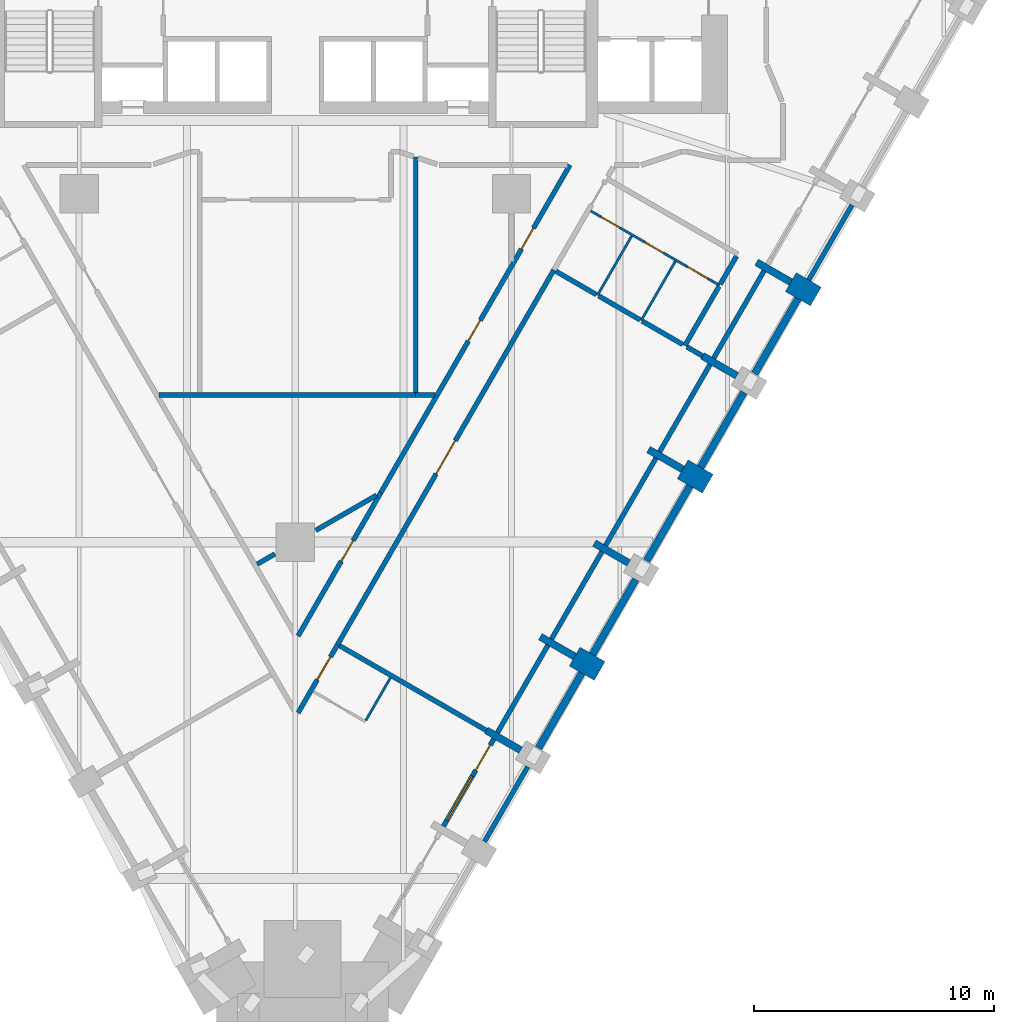
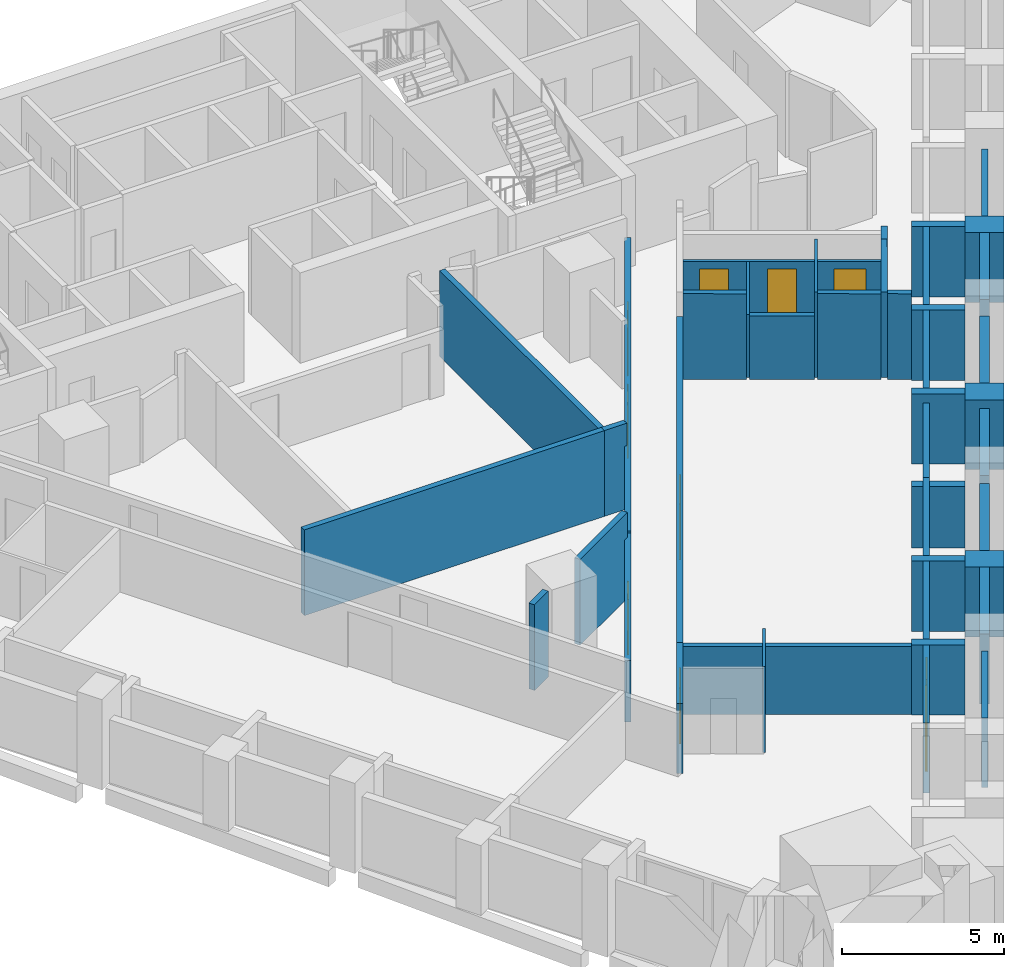
# One storey, part 4 of 10: 42 walls, 9 doors, 1 window, 10 openings.
"""IFC4 building model written with IfcOpenShell, lengths in metres."""

from ifc_helpers import new_model, si_unit, direction, frame, frame_2d, origin, place, context, subcontext, project, spatial, rectangle, extrude, material, layer, layer_set, type_object, element, fill, save


model = new_model("IFC4")

# Units and contexts
model_context = context("Model", 3, precision=1e-05, world=origin(), true_north=direction((0.0, 1.0)))
body_context = subcontext(model_context, "Body", "Model", "MODEL_VIEW")
ifc_project = project(units=[si_unit("LENGTHUNIT", "METRE"), si_unit("AREAUNIT", "SQUARE_METRE"), si_unit("VOLUMEUNIT", "CUBIC_METRE"), si_unit("PLANEANGLEUNIT", "RADIAN"), si_unit("MASSUNIT", "GRAM", prefix="KILO")], contexts=[model_context])

# Site, building, storey
site_placement = place(None, origin())
site = spatial("IfcSite", under=ifc_project, at=site_placement, CompositionType="ELEMENT")
building_placement = place(site_placement, origin())
building = spatial("IfcBuilding", under=site, at=building_placement, Name="Calabash Gate Tower", CompositionType="ELEMENT")
storey_placement = place(building_placement, frame((0.0, 0.0, 63.0)))
storey = spatial("IfcBuildingStorey", under=building, at=storey_placement, Name="L11", CompositionType="ELEMENT", Elevation=63.0)

# Walls
ifc_material_1 = material(Name="Terracotta brick masonry, exposed face", Category="masonry")
ifc_layer_1 = layer(ifc_material_1, 1.199951171875)
ifc_layer_set_1 = layer_set([ifc_layer_1], Name="Brick end wall 1200")
wall_type_1 = type_object("IfcWallType", Name="Brick end wall 1200", PredefinedType="SOLIDWALL", material=ifc_layer_set_1)
for number, where, z_axis, x_axis, name in (
    (1, (11.629638671875, -16.76220703125, 0.0), (0.0, 0.0, 1.0), (0.866043267704, -0.499969057507, 0.0), "Brick pier S02 SE2.3"),
    (2, (17.168701171875, -9.56787109375, 0.0), (0.0, 0.0, 1.0), (-0.866043267704, 0.499969057507, 0.0), "Brick pier S02 SE2.5"),
):
    element("IfcWall", number, at=place(storey_placement, frame(where, z_axis=z_axis, x_axis=x_axis)), inside=storey, type_object=wall_type_1, Name=name, PredefinedType="SOLIDWALL", context=body_context, shape_type="SweptSolid", body=[
        extrude(rectangle(XDim=1.19970703125, YDim=0.89990234375, at=frame_2d((0.599853515625, 0.0))), origin(), (0.0, 0.0, 1.0), 2.6298828125),
    ])
wall_1_placement = place(storey_placement, frame((21.668701171875, -1.773681640625, 0.0), z_axis=(0.0, 0.0, 1.0), x_axis=(-0.865955154139, 0.50012165622, 0.0)))
element("IfcWall", 3, at=wall_1_placement, inside=storey, type_object=wall_type_1, Name="Brick pier S02 SE2.7", PredefinedType="SOLIDWALL", context=body_context, shape_type="SweptSolid", body=[
    extrude(rectangle(XDim=1.199951171875, YDim=0.89990234375, at=frame_2d((0.60009765625, 0.0))), origin(), (0.0, 0.0, 1.0), 2.6298828125),
])
ifc_material_2 = material(Name="Terracotta brick masonry, exposed face", Category="masonry")
ifc_layer_2 = layer(ifc_material_2, 0.300048828125)
ifc_layer_set_2 = layer_set([ifc_layer_2], Name="Brick infill panel wall 300")
wall_type_2 = type_object("IfcWallType", Name="Brick infill panel wall 300", PredefinedType="SOLIDWALL", material=ifc_layer_set_2)
for number, where, z_axis, x_axis, name in (
    (4, (10.124267578125, -20.569580078125, 0.0), (0.0, 0.0, 1.0), (0.499961193289, 0.866047807691, 0.0), "Brick panel S02 SE2.3"),
    (5, (12.374267578125, -16.67236328125, 0.0), (0.0, 0.0, 1.0), (0.499961193289, 0.866047807691, 0.0), "Brick panel S02 SE2.4"),
):
    element("IfcWall", number, at=place(storey_placement, frame(where, z_axis=z_axis, x_axis=x_axis)), inside=storey, type_object=wall_type_2, Name=name, PredefinedType="SOLIDWALL", context=body_context, shape_type="SweptSolid", body=[
        extrude(rectangle(XDim=3.599853515625, YDim=0.300048828125, at=frame_2d((1.7998046875, 0.0))), origin(), (0.0, 0.0, 1.0), 2.6298828125),
    ])
wall_2_placement = place(storey_placement, frame((14.625, -12.77392578125, 0.0), z_axis=(0.0, 0.0, 1.0), x_axis=(0.499984792966, 0.866034183392, 0.0)))
element("IfcWall", 6, at=wall_2_placement, inside=storey, type_object=wall_type_2, Name="Brick panel S02 SE2.5", PredefinedType="SOLIDWALL", context=body_context, shape_type="SweptSolid", body=[
    extrude(rectangle(XDim=3.59814453125, YDim=0.300048828125, at=frame_2d((1.799072265625, 0.0))), origin(), (0.0, 0.0, 1.0), 2.302490234375),
])
for number, where, z_axis, x_axis, name in (
    (7, (16.874267578125, -8.878173828125, 0.0), (0.0, 0.0, 1.0), (0.499961193289, 0.866047807691, 0.0), "Brick panel S02 SE2.6"),
    (8, (19.124267578125, -4.981201171875, 0.0), (0.0, 0.0, 1.0), (0.499961193289, 0.866047807691, 0.0), "Brick panel S02 SE2.7"),
):
    element("IfcWall", number, at=place(storey_placement, frame(where, z_axis=z_axis, x_axis=x_axis)), inside=storey, type_object=wall_type_2, Name=name, PredefinedType="SOLIDWALL", context=body_context, shape_type="SweptSolid", body=[
        extrude(rectangle(XDim=3.599853515625, YDim=0.300048828125, at=frame_2d((1.7998046875, 0.0))), origin(), (0.0, 0.0, 1.0), 2.6298828125),
    ])
ifc_material_3 = material(Name="Terracotta brick masonry, exposed face", Category="masonry")
ifc_layer_3 = layer(ifc_material_3, 0.300048828125)
ifc_layer_set_3 = layer_set([ifc_layer_3], Name="Brick loggia cheek wall 300")
wall_type_3 = type_object("IfcWallType", Name="Brick loggia cheek wall 300", PredefinedType="SOLIDWALL", material=ifc_layer_set_3)
wall_3_placement = place(storey_placement, frame((9.37939453125, -20.6591796875, 0.0), z_axis=(0.0, 0.0, 1.0), x_axis=(-0.866003217194, 0.500038426333, 0.0)))
element("IfcWall", 9, at=wall_3_placement, inside=storey, type_object=wall_type_3, Name="Loggia cheek S02 SE2.2", PredefinedType="SOLIDWALL", context=body_context, shape_type="SweptSolid", body=[
    extrude(rectangle(XDim=1.649658203125, YDim=0.300048828125, at=frame_2d((0.82470703125, 0.0))), origin(), (0.0, 0.0, 1.0), 2.64990234375),
])
wall_4_placement = place(storey_placement, frame((11.629638671875, -16.76220703125, 0.0), z_axis=(0.0, 0.0, 1.0), x_axis=(-0.866040211805, 0.499974350878, 0.0)))
element("IfcWall", 10, at=wall_4_placement, inside=storey, type_object=wall_type_3, Name="Loggia cheek S02 SE2.3", PredefinedType="SOLIDWALL", context=body_context, shape_type="SweptSolid", body=[
    extrude(rectangle(XDim=1.64990234375, YDim=0.300048828125, at=frame_2d((0.824951171875, 0.0))), origin(), (0.0, 0.0, 1.0), 2.64990234375),
])
wall_5_placement = place(storey_placement, frame((13.87841796875, -12.864501953125, 0.0), z_axis=(0.0, 0.0, 1.0), x_axis=(-0.865983361098, 0.500072813, 0.0)))
element("IfcWall", 11, at=wall_5_placement, inside=storey, type_object=wall_type_3, Name="Loggia cheek S02 SE2.4", PredefinedType="SOLIDWALL", context=body_context, shape_type="SweptSolid", body=[
    extrude(rectangle(XDim=1.648681640625, YDim=0.300048828125, at=frame_2d((0.82421875, 0.0))), origin(), (0.0, 0.0, 1.0), 2.302490234375),
])
wall_6_placement = place(storey_placement, frame((14.70068359375, -8.142822265625, 0.0), z_axis=(0.0, 0.0, 1.0), x_axis=(0.865976140824, -0.500085316245, 0.0)))
element("IfcWall", 12, at=wall_6_placement, inside=storey, type_object=wall_type_3, Name="Loggia cheek S02 SE2.5", PredefinedType="SOLIDWALL", context=body_context, shape_type="SweptSolid", body=[
    extrude(rectangle(XDim=1.650146484375, YDim=0.300048828125, at=frame_2d((0.8251953125, 0.0))), origin(), (0.0, 0.0, 1.0), 2.64990234375),
])
wall_7_placement = place(storey_placement, frame((18.37939453125, -5.07080078125, 0.0), z_axis=(0.0, 0.0, 1.0), x_axis=(-0.866003217194, 0.500038426333, 0.0)))
element("IfcWall", 13, at=wall_7_placement, inside=storey, type_object=wall_type_3, Name="Loggia cheek S02 SE2.6", PredefinedType="SOLIDWALL", context=body_context, shape_type="SweptSolid", body=[
    extrude(rectangle(XDim=1.649658203125, YDim=0.300048828125, at=frame_2d((0.82470703125, 0.0))), origin(), (0.0, 0.0, 1.0), 2.64990234375),
])
wall_8_placement = place(storey_placement, frame((19.20068359375, -0.3486328125, 0.0), z_axis=(0.0, 0.0, 1.0), x_axis=(0.866040211805, -0.499974350878, 0.0)))
element("IfcWall", 14, at=wall_8_placement, inside=storey, type_object=wall_type_3, Name="Loggia cheek S02 SE2.7", PredefinedType="SOLIDWALL", context=body_context, shape_type="SweptSolid", body=[
    extrude(rectangle(XDim=1.64990234375, YDim=0.300048828125, at=frame_2d((0.824951171875, 0.0))), origin(), (0.0, 0.0, 1.0), 2.64990234375),
])
ifc_material_4 = material(Name="Gypsum board on steel studs, mineral wool", Category="steel")
ifc_layer_4 = layer(ifc_material_4, 0.10009765625)
ifc_layer_set_4 = layer_set([ifc_layer_4], Name="Partition 100 gypsum board")
wall_type_4 = type_object("IfcWallType", Name="Partition 100 gypsum board", PredefinedType="PARTITIONING", material=ifc_layer_set_4)
wall_9_placement = place(storey_placement, frame((2.935302734375, -19.421875, 0.0), z_axis=(0.0, 0.0, 1.0), x_axis=(0.499354689006, 0.866397653833, 0.0)))
element("IfcWall", 15, at=wall_9_placement, inside=storey, type_object=wall_type_4, Name="Partition", PredefinedType="PARTITIONING", context=body_context, shape_type="SweptSolid", body=[
    extrude(rectangle(XDim=2.050048828125, YDim=0.10009765625, at=frame_2d((1.02490234375, 0.0))), origin(), (0.0, 0.0, 1.0), 3.22998046875),
])

# Wall, openings, doors
wall_10_placement = place(storey_placement, frame((12.296875, 1.789794921875, 0.0), z_axis=(0.0, 0.0, 1.0), x_axis=(0.866018973846, -0.500011136814, 0.0)))
wall_10 = element("IfcWall", 16, at=wall_10_placement, inside=storey, type_object=wall_type_4, Name="Partition", PredefinedType="PARTITIONING", context=body_context, shape_type="SweptSolid", body=[
    extrude(rectangle(XDim=6.197998046875, YDim=0.10009765625, at=frame_2d((3.09912109375, 0.0))), origin(), (0.0, 0.0, 1.0), 2.384033203125),
])
opening_1_placement = place(wall_10_placement, frame((0.498046875, 0.0, 0.0)))
opening_1 = element("IfcOpeningElement", 17, at=opening_1_placement, cuts=wall_10, Name="Opening 09-11-013", PredefinedType="OPENING", context=body_context, shape_type="SweptSolid", body=[
    extrude(rectangle(XDim=0.89990234375, YDim=2.10009765625, at=frame_2d((0.449951171875, 1.050048828125))), frame((0.0, 0.06005859375, 0.0), z_axis=(0.0, -1.0, 0.0), x_axis=(1.0, 0.0, 0.0)), (0.0, 0.0, 1.0), 0.1201171875),
])
opening_2_placement = place(wall_10_placement, frame((2.59814453125, 0.0, 0.0)))
opening_2 = element("IfcOpeningElement", 18, at=opening_2_placement, cuts=wall_10, Name="Opening 09-11-014", PredefinedType="OPENING", context=body_context, shape_type="SweptSolid", body=[
    extrude(rectangle(XDim=0.89990234375, YDim=2.10009765625, at=frame_2d((0.449951171875, 1.050048828125))), frame((0.0, 0.06005859375, 0.0), z_axis=(0.0, -1.0, 0.0), x_axis=(1.0, 0.0, 0.0)), (0.0, 0.0, 1.0), 0.1201171875),
])
opening_3_placement = place(wall_10_placement, frame((4.64794921875, 0.0, 0.0)))
opening_3 = element("IfcOpeningElement", 19, at=opening_3_placement, cuts=wall_10, Name="Opening 09-11-015", PredefinedType="OPENING", context=body_context, shape_type="SweptSolid", body=[
    extrude(rectangle(XDim=1.0, YDim=2.10009765625, at=frame_2d((0.5, 1.050048828125))), frame((0.0, 0.06005859375, 0.0), z_axis=(0.0, -1.0, 0.0), x_axis=(1.0, 0.0, 0.0)), (0.0, 0.0, 1.0), 0.1201171875),
])
ifc_material_5 = material(Name="Painted timber door", Category="wood")
door_type_1 = type_object("IfcDoorType", Name="WD1 WC door 900x2100", OperationType="NOTDEFINED", PredefinedType="DOOR", material=ifc_material_5)
door_1_placement = place(opening_1_placement, origin())
door_1 = element("IfcDoor", 20, at=door_1_placement, inside=storey, type_object=door_type_1, Name="WC door", OperationType="SINGLE_SWING_RIGHT", OverallHeight=2.10009765625, OverallWidth=0.89990234375, PredefinedType="DOOR", context=body_context, shape_type="SweptSolid", body=[
    extrude(rectangle(XDim=0.89990234375, YDim=2.10009765625, at=frame_2d((0.449951171875, 1.050048828125))), frame((0.0, 0.02490234375, 0.0), z_axis=(0.0, -1.0, 0.0), x_axis=(1.0, 0.0, 0.0)), (0.0, 0.0, 1.0), 0.050048828125),
])
fill(opening_1, door_1)
door_2_placement = place(opening_2_placement, origin())
door_2 = element("IfcDoor", 21, at=door_2_placement, inside=storey, type_object=door_type_1, Name="WC door", OperationType="SINGLE_SWING_RIGHT", OverallHeight=2.10009765625, OverallWidth=0.89990234375, PredefinedType="DOOR", context=body_context, shape_type="SweptSolid", body=[
    extrude(rectangle(XDim=0.89990234375, YDim=2.10009765625, at=frame_2d((0.449951171875, 1.050048828125))), frame((0.0, 0.02490234375, 0.0), z_axis=(0.0, -1.0, 0.0), x_axis=(1.0, 0.0, 0.0)), (0.0, 0.0, 1.0), 0.050048828125),
])
fill(opening_2, door_2)
ifc_material_6 = material(Name="Painted timber door", Category="wood")
door_type_2 = type_object("IfcDoorType", Name="WD2 Accessible WC door 1000x2100", OperationType="NOTDEFINED", PredefinedType="DOOR", material=ifc_material_6)
door_3_placement = place(opening_3_placement, origin())
door_3 = element("IfcDoor", 22, at=door_3_placement, inside=storey, type_object=door_type_2, Name="Accessible WC door", OperationType="SINGLE_SWING_LEFT", OverallHeight=2.10009765625, OverallWidth=1.0, PredefinedType="DOOR", context=body_context, shape_type="SweptSolid", body=[
    extrude(rectangle(XDim=1.0, YDim=2.10009765625, at=frame_2d((0.5, 1.050048828125))), frame((0.0, 0.02490234375, 0.0), z_axis=(0.0, -1.0, 0.0), x_axis=(1.0, 0.0, 0.0)), (0.0, 0.0, 1.0), 0.050048828125),
])
fill(opening_3, door_3)

# Walls
wall_11_placement = place(storey_placement, frame((14.397705078125, -2.771484375, 0.0), z_axis=(0.0, 0.0, 1.0), x_axis=(0.500009219579, 0.866020080793, 0.0)))
element("IfcWall", 23, at=wall_11_placement, inside=storey, type_object=wall_type_4, Name="Partition", PredefinedType="PARTITIONING", context=body_context, shape_type="SweptSolid", body=[
    extrude(rectangle(XDim=2.849609375, YDim=0.10009765625, at=frame_2d((1.4248046875, 0.0))), origin(), (0.0, 0.0, 1.0), 3.22998046875),
])
wall_12_placement = place(storey_placement, frame((12.5791015625, -1.7216796875, 0.0), z_axis=(0.0, 0.0, 1.0), x_axis=(0.499972122318, 0.866041498374, 0.0)))
element("IfcWall", 24, at=wall_12_placement, inside=storey, type_object=wall_type_4, Name="Partition", PredefinedType="PARTITIONING", context=body_context, shape_type="SweptSolid", body=[
    extrude(rectangle(XDim=2.849853515625, YDim=0.10009765625, at=frame_2d((1.4248046875, 0.0))), origin(), (0.0, 0.0, 1.0), 2.384033203125),
])

# Wall, opening, door
ifc_material_7 = material(Name="Gypsum board on steel studs, mineral wool", Category="steel")
ifc_layer_5 = layer(ifc_material_7, 0.199951171875)
ifc_layer_set_5 = layer_set([ifc_layer_5], Name="Partition 200 gypsum board EI 60")
wall_type_5 = type_object("IfcWallType", Name="Partition 200 gypsum board EI 60", PredefinedType="PARTITIONING", material=ifc_layer_set_5)
wall_13_placement = place(storey_placement, frame((0.11767578125, -19.102294921875, 0.0), z_axis=(0.0, 0.0, 1.0), x_axis=(0.500402764758, 0.865792742533, 0.0)))
wall_13 = element("IfcWall", 25, at=wall_13_placement, inside=storey, type_object=wall_type_5, Name="Partition", PredefinedType="PARTITIONING", context=body_context, shape_type="SweptSolid", body=[
    extrude(rectangle(XDim=3.281982421875, YDim=0.199951171875, at=frame_2d((1.64111328125, 0.0))), origin(), (0.0, 0.0, 1.0), 2.6279296875),
])
opening_4_placement = place(wall_13_placement, frame((1.59130859375, 0.0, 0.0)))
opening_4 = element("IfcOpeningElement", 26, at=opening_4_placement, cuts=wall_13, Name="Opening 09-11-020", PredefinedType="OPENING", context=body_context, shape_type="SweptSolid", body=[
    extrude(rectangle(XDim=1.10009765625, YDim=2.10009765625, at=frame_2d((0.550048828125, 1.050048828125))), frame((0.0, 0.10986328125, 0.0), z_axis=(0.0, -1.0, 0.0), x_axis=(1.0, 0.0, 0.0)), (0.0, 0.0, 1.0), 0.219970703125),
])
ifc_material_8 = material(Name="Steel fire door set with fire-resisting glazing", Category="steel")
door_type_3 = type_object("IfcDoorType", Name="GD3 Suite entrance door 1100x2100", OperationType="NOTDEFINED", PredefinedType="DOOR", material=ifc_material_8)
door_4_placement = place(opening_4_placement, origin())
door_4 = element("IfcDoor", 27, at=door_4_placement, inside=storey, type_object=door_type_3, Name="Suite entrance door", OperationType="SINGLE_SWING_LEFT", OverallHeight=2.10009765625, OverallWidth=1.10009765625, PredefinedType="DOOR", context=body_context, shape_type="SweptSolid", body=[
    extrude(rectangle(XDim=1.10009765625, YDim=2.10009765625, at=frame_2d((0.550048828125, 1.050048828125))), frame((0.0, 0.02490234375, 0.0), z_axis=(0.0, -1.0, 0.0), x_axis=(1.0, 0.0, 0.0)), (0.0, 0.0, 1.0), 0.050048828125),
])
fill(opening_4, door_4)

# Wall
wall_14_placement = place(storey_placement, frame((1.844482421875, -16.311279296875, 0.0), z_axis=(0.0, 0.0, 1.0), x_axis=(0.866037373075, -0.499979268008, 0.0)))
element("IfcWall", 28, at=wall_14_placement, inside=storey, type_object=wall_type_5, Name="Partition", PredefinedType="PARTITIONING", context=body_context, shape_type="SweptSolid", body=[
    extrude(rectangle(XDim=7.049560546875, YDim=0.199951171875, at=frame_2d((3.52490234375, 0.0))), origin(), (0.0, 0.0, 1.0), 2.552001953125),
])

# Wall, opening, door
wall_15_placement = place(storey_placement, frame((0.117431640625, -15.9013671875, 0.0), z_axis=(0.0, 0.0, 1.0), x_axis=(0.49997760006, 0.866038336009, 0.0)))
wall_15 = element("IfcWall", 29, at=wall_15_placement, inside=storey, type_object=wall_type_5, Name="Partition", PredefinedType="PARTITIONING", context=body_context, shape_type="SweptSolid", body=[
    extrude(rectangle(XDim=6.874755859375, YDim=0.199951171875, at=frame_2d((3.4375, 0.0))), origin(), (0.0, 0.0, 1.0), 2.302490234375),
])
opening_5_placement = place(wall_15_placement, frame((3.588134765625, 0.0, 0.0)))
opening_5 = element("IfcOpeningElement", 30, at=opening_5_placement, cuts=wall_15, Name="Opening 09-11-009", PredefinedType="OPENING", context=body_context, shape_type="SweptSolid", body=[
    extrude(rectangle(XDim=1.0, YDim=2.10009765625, at=frame_2d((0.5, 1.050048828125))), frame((0.0, 0.10986328125, 0.0), z_axis=(0.0, -1.0, 0.0), x_axis=(1.0, 0.0, 0.0)), (0.0, 0.0, 1.0), 0.219970703125),
])
ifc_material_9 = material(Name="Steel fire door set with fire-resisting glazing", Category="steel")
door_type_4 = type_object("IfcDoorType", Name="LD2 Meeting room door 1000x2100", OperationType="NOTDEFINED", PredefinedType="DOOR", material=ifc_material_9)
door_5_placement = place(opening_5_placement, origin())
door_5 = element("IfcDoor", 31, at=door_5_placement, inside=storey, type_object=door_type_4, Name="Meeting room door", OperationType="SINGLE_SWING_RIGHT", OverallHeight=2.10009765625, OverallWidth=1.0, PredefinedType="DOOR", context=body_context, shape_type="SweptSolid", body=[
    extrude(rectangle(XDim=1.0, YDim=2.10009765625, at=frame_2d((0.5, 1.050048828125))), frame((0.0, 0.02490234375, 0.0), z_axis=(0.0, -1.0, 0.0), x_axis=(1.0, 0.0, 0.0)), (0.0, 0.0, 1.0), 0.050048828125),
])
fill(opening_5, door_5)

# Walls
wall_16_placement = place(storey_placement, frame((-1.590576171875, -12.916259765625, 0.0), z_axis=(0.0, 0.0, 1.0), x_axis=(0.866903215232, 0.498476494351, 0.0)))
element("IfcWall", 32, at=wall_16_placement, inside=storey, type_object=wall_type_5, Name="Partition", PredefinedType="PARTITIONING", context=body_context, shape_type="SweptSolid", body=[
    extrude(rectangle(XDim=0.854248046875, YDim=0.199951171875, at=frame_2d((0.42724609375, 0.0))), origin(), (0.0, 0.0, 1.0), 3.22998046875),
])
wall_17_placement = place(storey_placement, frame((0.85009765625, -11.509033203125, 0.0), z_axis=(0.0, 0.0, 1.0), x_axis=(0.865875518892, 0.500259518434, 0.0)))
element("IfcWall", 33, at=wall_17_placement, inside=storey, type_object=wall_type_5, Name="Partition", PredefinedType="PARTITIONING", context=body_context, shape_type="SweptSolid", body=[
    extrude(rectangle(XDim=2.9248046875, YDim=0.199951171875, at=frame_2d((1.46240234375, 0.0))), origin(), (0.0, 0.0, 1.0), 3.22998046875),
])

# Wall, openings, doors
wall_18_placement = place(storey_placement, frame((3.552001953125, -9.94921875, 0.0), z_axis=(0.0, 0.0, 1.0), x_axis=(0.4999924075, 0.866029787272, 0.0)))
wall_18 = element("IfcWall", 34, at=wall_18_placement, inside=storey, type_object=wall_type_5, Name="Partition", PredefinedType="PARTITIONING", context=body_context, shape_type="SweptSolid", body=[
    extrude(rectangle(XDim=15.761474609375, YDim=0.199951171875, at=frame_2d((7.880859375, 0.0))), origin(), (0.0, 0.0, 1.0), 2.384033203125),
])
opening_6_placement = place(wall_18_placement, frame((7.303955078125, 0.0, 0.0)))
opening_6 = element("IfcOpeningElement", 35, at=opening_6_placement, cuts=wall_18, Name="Opening 09-11-006", PredefinedType="OPENING", context=body_context, shape_type="SweptSolid", body=[
    extrude(rectangle(XDim=1.0, YDim=2.10009765625, at=frame_2d((0.5, 1.050048828125))), frame((0.0, 0.10986328125, 0.0), z_axis=(0.0, -1.0, 0.0), x_axis=(1.0, 0.0, 0.0)), (0.0, 0.0, 1.0), 0.219970703125),
])
opening_7_placement = place(wall_18_placement, frame((11.7265625, 0.0, 0.0)))
opening_7 = element("IfcOpeningElement", 36, at=opening_7_placement, cuts=wall_18, Name="Opening 09-11-007", PredefinedType="OPENING", context=body_context, shape_type="SweptSolid", body=[
    extrude(rectangle(XDim=1.0, YDim=2.10009765625, at=frame_2d((0.5, 1.050048828125))), frame((0.0, 0.10986328125, 0.0), z_axis=(0.0, -1.0, 0.0), x_axis=(1.0, 0.0, 0.0)), (0.0, 0.0, 1.0), 0.219970703125),
])
door_6_placement = place(opening_6_placement, origin())
door_6 = element("IfcDoor", 37, at=door_6_placement, inside=storey, type_object=door_type_4, Name="Meeting room door", OperationType="SINGLE_SWING_LEFT", OverallHeight=2.10009765625, OverallWidth=1.0, PredefinedType="DOOR", context=body_context, shape_type="SweptSolid", body=[
    extrude(rectangle(XDim=1.0, YDim=2.10009765625, at=frame_2d((0.5, 1.050048828125))), frame((0.0, 0.02490234375, 0.0), z_axis=(0.0, -1.0, 0.0), x_axis=(1.0, 0.0, 0.0)), (0.0, 0.0, 1.0), 0.050048828125),
])
fill(opening_6, door_6)
door_7_placement = place(opening_7_placement, origin())
door_7 = element("IfcDoor", 38, at=door_7_placement, inside=storey, type_object=door_type_4, Name="Meeting room door", OperationType="SINGLE_SWING_RIGHT", OverallHeight=2.10009765625, OverallWidth=1.0, PredefinedType="DOOR", context=body_context, shape_type="SweptSolid", body=[
    extrude(rectangle(XDim=1.0, YDim=2.10009765625, at=frame_2d((0.5, 1.050048828125))), frame((0.0, 0.02490234375, 0.0), z_axis=(0.0, -1.0, 0.0), x_axis=(1.0, 0.0, 0.0)), (0.0, 0.0, 1.0), 0.050048828125),
])
fill(opening_7, door_7)

# Walls
wall_19_placement = place(storey_placement, frame((-5.67431640625, -5.869873046875, 0.0), z_axis=(0.0, 0.0, 1.0), x_axis=(0.999999987222, 0.000159861147, 0.0)))
element("IfcWall", 39, at=wall_19_placement, inside=storey, type_object=wall_type_5, Name="Partition", PredefinedType="PARTITIONING", context=body_context, shape_type="SweptSolid", body=[
    extrude(rectangle(XDim=10.6904296875, YDim=0.199951171875, at=frame_2d((5.34521484375, 0.0))), origin(), (0.0, 0.0, 1.0), 3.22998046875),
])
wall_20_placement = place(storey_placement, frame((5.01220703125, -5.8681640625, 0.0), z_axis=(0.0, 0.0, 1.0), x_axis=(0.99999831045, -0.001838232188, 0.0)))
element("IfcWall", 40, at=wall_20_placement, inside=storey, type_object=wall_type_5, Name="Partition", PredefinedType="PARTITIONING", context=body_context, shape_type="SweptSolid", body=[
    extrude(rectangle(XDim=0.796875, YDim=0.199951171875, at=frame_2d((0.3984375, 0.0))), origin(), (0.0, 0.0, 1.0), 3.22998046875),
])
wall_21_placement = place(storey_placement, frame((5.01220703125, -5.767822265625, 0.0), z_axis=(0.0, 0.0, 1.0), x_axis=(0.0, 1.0, 0.0)))
element("IfcWall", 41, at=wall_21_placement, inside=storey, type_object=wall_type_5, Name="Partition", PredefinedType="PARTITIONING", context=body_context, shape_type="SweptSolid", body=[
    extrude(rectangle(XDim=9.796875, YDim=0.199951171875, at=frame_2d((4.8984375, 0.0))), origin(), (0.0, 0.0, 1.0), 3.22998046875),
])
wall_22_placement = place(storey_placement, frame((16.30224609375, -3.869384765625, 0.0), z_axis=(0.0, 0.0, 1.0), x_axis=(0.864957684326, -0.501844801034, 0.0)))
element("IfcWall", 42, at=wall_22_placement, inside=storey, type_object=wall_type_5, Name="Partition", PredefinedType="PARTITIONING", context=body_context, shape_type="SweptSolid", body=[
    extrude(rectangle(XDim=0.749755859375, YDim=0.199951171875, at=frame_2d((0.375, 0.0))), origin(), (0.0, 0.0, 1.0), 3.22998046875),
])
wall_23_placement = place(storey_placement, frame((16.214599609375, -3.820556640625, 0.0), z_axis=(0.0, 0.0, 1.0), x_axis=(0.499509955189, 0.866308146486, 0.0)))
element("IfcWall", 43, at=wall_23_placement, inside=storey, type_object=wall_type_5, Name="Partition", PredefinedType="PARTITIONING", context=body_context, shape_type="SweptSolid", body=[
    extrude(rectangle(XDim=2.851318359375, YDim=0.199951171875, at=frame_2d((1.42578125, 0.0))), origin(), (0.0, 0.0, 1.0), 3.22998046875),
])
wall_24_placement = place(storey_placement, frame((14.440185546875, -2.794189453125, 0.0), z_axis=(0.0, 0.0, 1.0), x_axis=(0.865603401191, -0.500730218626, 0.0)))
element("IfcWall", 44, at=wall_24_placement, inside=storey, type_object=wall_type_5, Name="Partition", PredefinedType="PARTITIONING", context=body_context, shape_type="SweptSolid", body=[
    extrude(rectangle(XDim=1.94970703125, YDim=0.199951171875, at=frame_2d((0.974853515625, 0.0))), origin(), (0.0, 0.0, 1.0), 3.22998046875),
])
wall_25_placement = place(storey_placement, frame((12.62158203125, -1.744140625, 0.0), z_axis=(0.0, 0.0, 1.0), x_axis=(0.865571128327, -0.500786004005, 0.0)))
element("IfcWall", 45, at=wall_25_placement, inside=storey, type_object=wall_type_5, Name="Partition", PredefinedType="PARTITIONING", context=body_context, shape_type="SweptSolid", body=[
    extrude(rectangle(XDim=1.999755859375, YDim=0.199951171875, at=frame_2d((1.0, 0.0))), origin(), (0.0, 0.0, 1.0), 2.384033203125),
])
wall_26_placement = place(storey_placement, frame((17.689208984375, -1.263427734375, 0.0), z_axis=(0.0, 0.0, 1.0), x_axis=(0.501000622125, 0.865446923058, 0.0)))
element("IfcWall", 46, at=wall_26_placement, inside=storey, type_object=wall_type_5, Name="Partition", PredefinedType="PARTITIONING", context=body_context, shape_type="SweptSolid", body=[
    extrude(rectangle(XDim=1.349853515625, YDim=0.199951171875, at=frame_2d((0.6748046875, 0.0))), origin(), (0.0, 0.0, 1.0), 2.701904296875),
])
wall_27_placement = place(storey_placement, frame((10.847900390625, -0.72021484375, 0.0), z_axis=(0.0, 0.0, 1.0), x_axis=(0.865600721384, -0.500734851134, 0.0)))
element("IfcWall", 47, at=wall_27_placement, inside=storey, type_object=wall_type_5, Name="Partition", PredefinedType="PARTITIONING", context=body_context, shape_type="SweptSolid", body=[
    extrude(rectangle(XDim=1.94775390625, YDim=0.199951171875, at=frame_2d((0.973876953125, 0.0))), origin(), (0.0, 0.0, 1.0), 3.22998046875),
])

# Wall, opening, door
wall_28_placement = place(storey_placement, frame((1.76025390625, -16.26025390625, 0.0), z_axis=(0.0, 0.0, 1.0), x_axis=(0.5000018851, 0.866024315419, 0.0)))
wall_28 = element("IfcWall", 48, at=wall_28_placement, inside=storey, type_object=wall_type_5, Name="Partition", PredefinedType="PARTITIONING", context=body_context, shape_type="SweptSolid", body=[
    extrude(rectangle(XDim=18.0, YDim=0.199951171875, at=frame_2d((9.0, 0.0))), origin(), (0.0, 0.0, 1.0), 2.302490234375),
])
opening_8_placement = place(wall_28_placement, frame((8.199951171875, 0.0, 0.0)))
opening_8 = element("IfcOpeningElement", 49, at=opening_8_placement, cuts=wall_28, Name="Opening 09-11-004", PredefinedType="OPENING", context=body_context, shape_type="SweptSolid", body=[
    extrude(rectangle(XDim=1.60009765625, YDim=2.10009765625, at=frame_2d((0.800048828125, 1.050048828125))), frame((0.0, 0.10986328125, 0.0), z_axis=(0.0, -1.0, 0.0), x_axis=(1.0, 0.0, 0.0)), (0.0, 0.0, 1.0), 0.219970703125),
])
ifc_material_10 = material(Name="Steel fire door set with fire-resisting glazing", Category="steel")
door_type_5 = type_object("IfcDoorType", Name="LD1 Lounge double door 1600x2100", OperationType="NOTDEFINED", PredefinedType="DOOR", material=ifc_material_10)
door_8_placement = place(opening_8_placement, origin())
door_8 = element("IfcDoor", 50, at=door_8_placement, inside=storey, type_object=door_type_5, Name="Lounge double door", OperationType="DOUBLE_DOOR_SINGLE_SWING", OverallHeight=2.10009765625, OverallWidth=1.60009765625, PredefinedType="DOOR", context=body_context, shape_type="SweptSolid", body=[
    extrude(rectangle(XDim=1.60009765625, YDim=2.10009765625, at=frame_2d((0.800048828125, 1.050048828125))), frame((0.0, 0.02490234375, 0.0), z_axis=(0.0, -1.0, 0.0), x_axis=(1.0, 0.0, 0.0)), (0.0, 0.0, 1.0), 0.050048828125),
])
fill(opening_8, door_8)

# Walls
ifc_material_11 = material(Name="Terracotta brick masonry, perforated", Category="masonry")
ifc_layer_6 = layer(ifc_material_11, 0.199951171875)
ifc_layer_set_6 = layer_set([ifc_layer_6], Name="Terracotta jaali screen B")
wall_type_6 = type_object("IfcWallType", Name="Terracotta jaali screen B", PredefinedType="SOLIDWALL", material=ifc_layer_set_6)
for number, where, z_axis, x_axis, name in (
    (51, (7.874267578125, -24.466552734375, 0.0), (0.0, 0.0, 1.0), (0.499961193289, 0.866047807691, 0.0), "SCREEN B S02 SE2.2"),
    (52, (21.374267578125, -1.083984375, 0.0), (0.0, 0.0, 1.0), (0.499961193289, 0.866047807691, 0.0), "SCREEN B S02 SE2.8"),
):
    element("IfcWall", number, at=place(storey_placement, frame(where, z_axis=z_axis, x_axis=x_axis)), inside=storey, type_object=wall_type_6, Name=name, PredefinedType="SOLIDWALL", context=body_context, shape_type="SweptSolid", body=[
        extrude(rectangle(XDim=3.599853515625, YDim=0.199951171875, at=frame_2d((1.7998046875, 0.0))), origin(), (0.0, 0.0, 1.0), 2.6298828125),
    ])

# Wall, openings, door, window
ifc_material_12 = material(Name="Aluminium framed window wall with insulated spandrel", Category="aluminium")
ifc_layer_7 = layer(ifc_material_12, 0.199951171875)
ifc_layer_set_7 = layer_set([ifc_layer_7], Name="Window wall 200")
wall_type_7 = type_object("IfcWallType", Name="Window wall 200", PredefinedType="ELEMENTEDWALL", material=ifc_layer_set_7)
wall_29_placement = place(storey_placement, frame((6.165283203125, -23.826416015625, 0.0), z_axis=(0.0, 0.0, 1.0), x_axis=(0.500027713859, 0.866009402589, 0.0)))
wall_29 = element("IfcWall", 53, at=wall_29_placement, inside=storey, type_object=wall_type_7, Name="Window wall S02 SE2.2", PredefinedType="ELEMENTEDWALL", context=body_context, shape_type="SweptSolid", body=[
    extrude(rectangle(XDim=4.199951171875, YDim=0.199951171875, at=frame_2d((2.10009765625, 0.0))), origin(), (0.0, 0.0, 1.0), 2.64990234375),
])
opening_9_placement = place(wall_29_placement, frame((0.300048828125, 0.0, 0.60009765625)))
opening_9 = element("IfcOpeningElement", 54, at=opening_9_placement, cuts=wall_29, Name="Opening HW1", PredefinedType="OPENING", context=body_context, shape_type="SweptSolid", body=[
    extrude(rectangle(XDim=2.10009765625, YDim=1.800048828125, at=frame_2d((1.050048828125, 0.89990234375))), frame((0.0, 0.10986328125, 0.0), z_axis=(0.0, -1.0, 0.0), x_axis=(1.0, 0.0, 0.0)), (0.0, 0.0, 1.0), 0.219970703125),
])
opening_10_placement = place(wall_29_placement, frame((2.699951171875, 0.0, 0.0)))
opening_10 = element("IfcOpeningElement", 55, at=opening_10_placement, cuts=wall_29, Name="Opening H2-019", PredefinedType="OPENING", context=body_context, shape_type="SweptSolid", body=[
    extrude(rectangle(XDim=1.199951171875, YDim=2.39990234375, at=frame_2d((0.60009765625, 1.199951171875))), frame((0.0, 0.10986328125, 0.0), z_axis=(0.0, -1.0, 0.0), x_axis=(1.0, 0.0, 0.0)), (0.0, 0.0, 1.0), 0.219970703125),
])
ifc_material_13 = material(Name="Anodised aluminium frame, bronze finish, impact-rated laminated clear glazing", Category="aluminium")
door_type_6 = type_object("IfcDoorType", Name="Loggia door DH1 1200x2400", OperationType="SLIDING_TO_LEFT", PredefinedType="DOOR", material=ifc_material_13)
door_9_placement = place(opening_10_placement, origin())
door_9 = element("IfcDoor", 56, at=door_9_placement, inside=storey, type_object=door_type_6, Name="Loggia door S02 SE2.2", OperationType="SINGLE_SWING_LEFT", OverallHeight=2.39990234375, OverallWidth=1.199951171875, PredefinedType="DOOR", context=body_context, shape_type="SweptSolid", body=[
    extrude(rectangle(XDim=1.199951171875, YDim=2.39990234375, at=frame_2d((0.60009765625, 1.199951171875))), frame((0.0, 0.02490234375, 0.0), z_axis=(0.0, -1.0, 0.0), x_axis=(1.0, 0.0, 0.0)), (0.0, 0.0, 1.0), 0.050048828125),
])
fill(opening_10, door_9)
ifc_material_14 = material(Name="Anodised aluminium frame, bronze finish, impact-rated laminated clear glazing", Category="aluminium")
window_type = type_object("IfcWindowType", Name="Window HW1 2100x1800", PartitioningType="DOUBLE_PANEL_VERTICAL", PredefinedType="WINDOW", material=ifc_material_14)
window_placement = place(opening_9_placement, origin())
window = element("IfcWindow", 57, at=window_placement, inside=storey, type_object=window_type, Name="Window HW1 S02 SE2.2", OverallHeight=1.800048828125, OverallWidth=2.10009765625, PartitioningType="SINGLE_PANEL", PredefinedType="WINDOW", context=body_context, shape_type="SweptSolid", body=[
    extrude(rectangle(XDim=2.10009765625, YDim=1.800048828125, at=frame_2d((1.050048828125, 0.89990234375))), frame((0.0, 0.030029296875, 0.0), z_axis=(0.0, -1.0, 0.0), x_axis=(1.0, 0.0, 0.0)), (0.0, 0.0, 1.0), 0.06005859375),
])
fill(opening_9, window)

# Walls
wall_30_placement = place(storey_placement, frame((8.415283203125, -19.929443359375, 0.0), z_axis=(0.0, 0.0, 1.0), x_axis=(0.500002543286, 0.866023935413, 0.0)))
element("IfcWall", 58, at=wall_30_placement, inside=storey, type_object=wall_type_7, Name="Window wall S02 SE2.3", PredefinedType="ELEMENTEDWALL", context=body_context, shape_type="SweptSolid", body=[
    extrude(rectangle(XDim=4.2001953125, YDim=0.199951171875, at=frame_2d((2.10009765625, 0.0))), origin(), (0.0, 0.0, 1.0), 2.64990234375),
])
wall_31_placement = place(storey_placement, frame((10.665283203125, -16.0322265625, 0.0), z_axis=(0.0, 0.0, 1.0), x_axis=(0.500027713859, 0.866009402589, 0.0)))
element("IfcWall", 59, at=wall_31_placement, inside=storey, type_object=wall_type_7, Name="Window wall S02 SE2.4", PredefinedType="ELEMENTEDWALL", context=body_context, shape_type="SweptSolid", body=[
    extrude(rectangle(XDim=4.199951171875, YDim=0.199951171875, at=frame_2d((2.10009765625, 0.0))), origin(), (0.0, 0.0, 1.0), 2.64990234375),
])
wall_32_placement = place(storey_placement, frame((12.915283203125, -12.13525390625, 0.0), z_axis=(0.0, 0.0, 1.0), x_axis=(0.500002543286, 0.866023935413, 0.0)))
element("IfcWall", 60, at=wall_32_placement, inside=storey, type_object=wall_type_7, Name="Window wall S02 SE2.5", PredefinedType="ELEMENTEDWALL", context=body_context, shape_type="SweptSolid", body=[
    extrude(rectangle(XDim=4.2001953125, YDim=0.199951171875, at=frame_2d((2.10009765625, 0.0))), origin(), (0.0, 0.0, 1.0), 2.302490234375),
])
for number, where, z_axis, x_axis, name in (
    (61, (15.165283203125, -8.238037109375, 0.0), (0.0, 0.0, 1.0), (0.500027713859, 0.866009402589, 0.0), "Window wall S02 SE2.6"),
    (62, (17.415283203125, -4.3408203125, 0.0), (0.0, 0.0, 1.0), (0.500027713859, 0.866009402589, 0.0), "Window wall S02 SE2.7"),
):
    element("IfcWall", number, at=place(storey_placement, frame(where, z_axis=z_axis, x_axis=x_axis)), inside=storey, type_object=wall_type_7, Name=name, PredefinedType="ELEMENTEDWALL", context=body_context, shape_type="SweptSolid", body=[
        extrude(rectangle(XDim=4.199951171875, YDim=0.199951171875, at=frame_2d((2.10009765625, 0.0))), origin(), (0.0, 0.0, 1.0), 2.64990234375),
    ])

save(model, "model.ifc")
